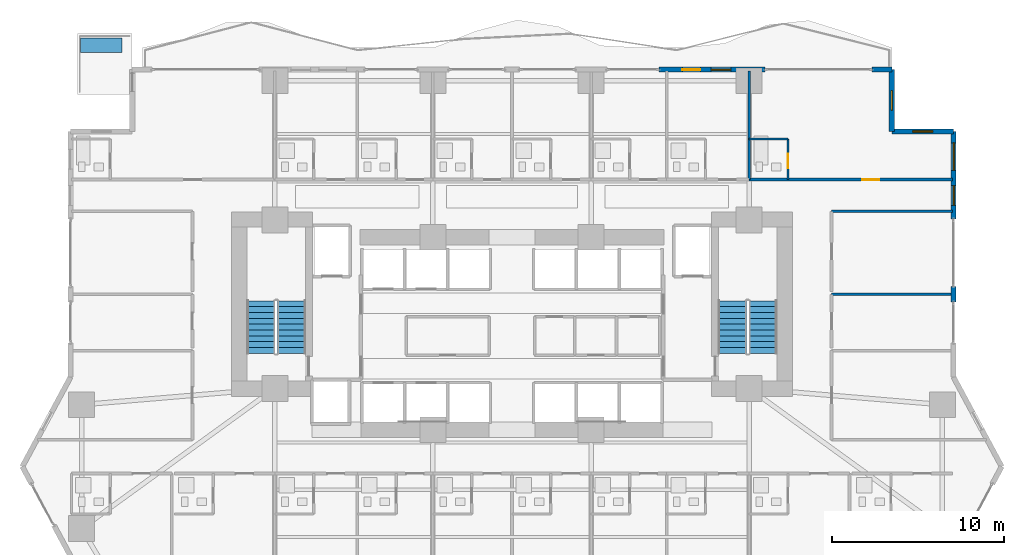
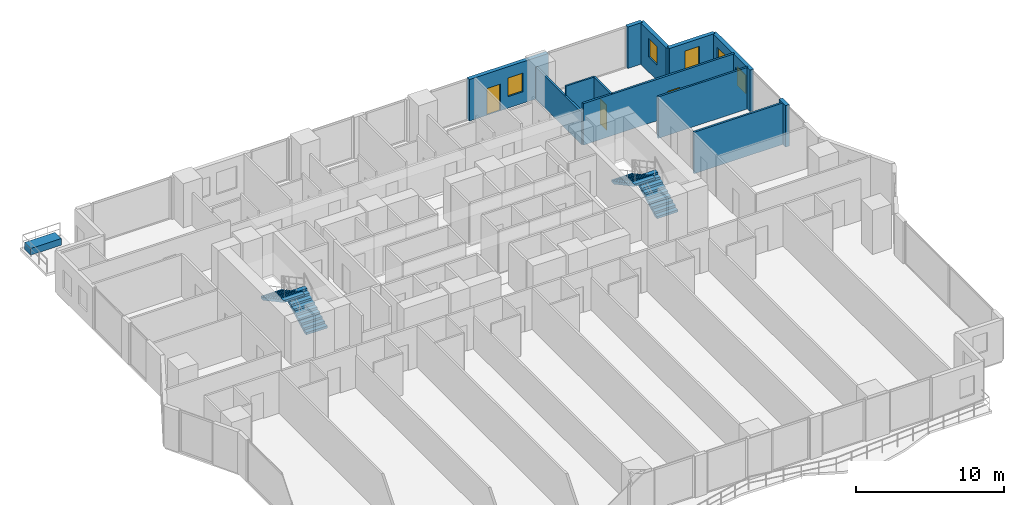
# One storey, part 24 of 29: 12 walls, 5 windows, 4 stair flights, 3 doors, 1 building element part, 8 openings, 2 elements without a shape of their own.
"""IFC4 building model written with IfcOpenShell, lengths in metres."""

from ifc_helpers import new_model, si_unit, direction, frame, frame_2d, origin, origin_2d, place, context, subcontext, project, spatial, polyline, rectangle, outline, extrude, material, layer, layer_set, type_object, element, fill, aggregate, save


model = new_model("IFC4")

# Units and contexts
model_context = context("Model", 3, precision=1e-05, world=origin(), true_north=direction((0.0, 1.0)))
body_context = subcontext(model_context, "Body", "Model", "MODEL_VIEW")
ifc_project = project(units=[si_unit("LENGTHUNIT", "METRE"), si_unit("AREAUNIT", "SQUARE_METRE"), si_unit("VOLUMEUNIT", "CUBIC_METRE"), si_unit("PLANEANGLEUNIT", "RADIAN"), si_unit("MASSUNIT", "GRAM", prefix="KILO")], contexts=[model_context])

# Site, building, storey
site_placement = place(None, origin())
site = spatial("IfcSite", under=ifc_project, at=site_placement, CompositionType="ELEMENT")
building_placement = place(site_placement, origin())
building = spatial("IfcBuilding", under=site, at=building_placement, Name="Zuhayl Quay Hotel", CompositionType="ELEMENT")
storey_placement = place(building_placement, frame((0.0, 0.0, 67.75)))
storey = spatial("IfcBuildingStorey", under=building, at=storey_placement, Name="L16", CompositionType="ELEMENT", Elevation=67.75)

# Wall, openings, door, window
ifc_material_1 = material(Name="Precast concrete C45/55", Category="concrete")
ifc_layer_1 = layer(ifc_material_1, 0.300048828125, Name="Precast concrete C45/55", Category="concrete")
ifc_layer_set_1 = layer_set([ifc_layer_1], Name="Precast concrete C45/55")
wall_type_1 = type_object("IfcWallType", Name="WL_EXT_300", PredefinedType="STANDARD", material=ifc_layer_set_1)
wall_1_placement = place(storey_placement, frame((8.550048828125, 23.10009765625, 0.0), z_axis=(0.0, 0.0, 1.0), x_axis=(1.0, 0.0, 0.0)))
wall_1 = element("IfcWall", 1, at=wall_1_placement, inside=storey, type_object=wall_type_1, Name="L16 Exterior Precast Wall ENV_L16_N_EW6", PredefinedType="STANDARD", context=body_context, shape_type="SweptSolid", body=[
    extrude(rectangle(XDim=6.169921875, YDim=0.300048828125, at=frame_2d((3.0849609375, 0.0))), origin(), (0.0, 0.0, 1.0), 3.429931640625),
])
opening_1_placement = place(wall_1_placement, frame((1.364990234375, 0.0, 0.0)))
opening_1 = element("IfcOpeningElement", 2, at=opening_1_placement, cuts=wall_1, Name="Opening DG1", PredefinedType="OPENING", context=body_context, shape_type="SweptSolid", body=[
    extrude(rectangle(XDim=1.050048828125, YDim=2.199951171875, at=frame_2d((0.52490234375, 1.10009765625))), frame((0.0, 0.159912109375, 0.0), z_axis=(0.0, -1.0, 0.0), x_axis=(1.0, 0.0, 0.0)), (0.0, 0.0, 1.0), 0.320068359375),
])
opening_2_placement = place(wall_1_placement, frame((3.032470703125, 0.0, 0.949951171875)))
opening_2 = element("IfcOpeningElement", 3, at=opening_2_placement, cuts=wall_1, Name="Opening W01N", PredefinedType="OPENING", context=body_context, shape_type="SweptSolid", body=[
    extrude(rectangle(XDim=1.14990234375, YDim=1.550048828125, at=frame_2d((0.574951171875, 0.77490234375))), frame((0.0, 0.159912109375, 0.0), z_axis=(0.0, -1.0, 0.0), x_axis=(1.0, 0.0, 0.0)), (0.0, 0.0, 1.0), 0.320068359375),
])
ifc_material_2 = material(Name="Anodised Aluminium and Dark Solar Glass", Category="aluminium")
door_type_1 = type_object("IfcDoorType", Name="DR_EXT_TERR_1050", OperationType="NOTDEFINED", PredefinedType="DOOR", material=ifc_material_2)
door_1_placement = place(opening_1_placement, origin())
door_1 = element("IfcDoor", 4, at=door_1_placement, inside=storey, type_object=door_type_1, Name="L16 North Rippling Balcony Door", OperationType="SINGLE_SWING_LEFT", OverallHeight=2.199951171875, OverallWidth=1.050048828125, PredefinedType="DOOR", context=body_context, shape_type="SweptSolid", body=[
    extrude(rectangle(XDim=1.050048828125, YDim=2.199951171875, at=frame_2d((0.52490234375, 1.10009765625))), frame((0.0, 0.02490234375, 0.0), z_axis=(0.0, -1.0, 0.0), x_axis=(1.0, 0.0, 0.0)), (0.0, 0.0, 1.0), 0.050048828125),
])
fill(opening_1, door_1)
ifc_material_3 = material(Name="Dark Ceramic-Fritted Solar Glass", Category="glass")
window_type_1 = type_object("IfcWindowType", Name="WN_NOTCH_1350", PartitioningType="SINGLE_PANEL", PredefinedType="WINDOW", material=ifc_material_3)
window_1_placement = place(opening_2_placement, origin())
window_1 = element("IfcWindow", 5, at=window_1_placement, inside=storey, type_object=window_type_1, Name="L16 Operable Facade Window 6-1", OverallHeight=1.550048828125, OverallWidth=1.14990234375, PartitioningType="SINGLE_PANEL", PredefinedType="WINDOW", context=body_context, shape_type="SweptSolid", body=[
    extrude(rectangle(XDim=1.14990234375, YDim=1.550048828125, at=frame_2d((0.574951171875, 0.77490234375))), frame((0.0, 0.030029296875, 0.0), z_axis=(0.0, -1.0, 0.0), x_axis=(1.0, 0.0, 0.0)), (0.0, 0.0, 1.0), 0.06005859375),
])
fill(opening_2, window_1)

# Wall
wall_2_placement = place(storey_placement, frame((20.949951171875, 23.10009765625, 0.0), z_axis=(0.0, 0.0, 1.0), x_axis=(1.0, 0.0, 0.0)))
element("IfcWall", 6, at=wall_2_placement, inside=storey, type_object=wall_type_1, Name="L16 Exterior Precast Wall ENV_L16_N_EW7", PredefinedType="STANDARD", context=body_context, shape_type="SweptSolid", body=[
    extrude(rectangle(XDim=1.150146484375, YDim=0.300048828125, at=frame_2d((0.5751953125, 0.0))), origin(), (0.0, 0.0, 1.0), 3.429931640625),
])

# Wall, opening, window
wall_3_placement = place(storey_placement, frame((22.10009765625, 23.10009765625, 0.0), z_axis=(0.0, 0.0, 1.0), x_axis=(0.0, -1.0, 0.0)))
wall_3 = element("IfcWall", 7, at=wall_3_placement, inside=storey, type_object=wall_type_1, Name="L16 Exterior Precast Wall ENV_L16_EW09", PredefinedType="STANDARD", context=body_context, shape_type="SweptSolid", body=[
    extrude(rectangle(XDim=3.60009765625, YDim=0.300048828125, at=frame_2d((1.800048828125, 0.0))), origin(), (0.0, 0.0, 1.0), 3.429931640625),
])
opening_3_placement = place(wall_3_placement, frame((1.22509765625, 0.0, 1.25)))
opening_3 = element("IfcOpeningElement", 8, at=opening_3_placement, cuts=wall_3, Name="Opening W01N", PredefinedType="OPENING", context=body_context, shape_type="SweptSolid", body=[
    extrude(rectangle(XDim=1.14990234375, YDim=1.550048828125, at=frame_2d((0.574951171875, 0.77490234375))), frame((0.0, 0.159912109375, 0.0), z_axis=(0.0, -1.0, 0.0), x_axis=(1.0, 0.0, 0.0)), (0.0, 0.0, 1.0), 0.320068359375),
])
window_2_placement = place(opening_3_placement, origin())
window_2 = element("IfcWindow", 9, at=window_2_placement, inside=storey, type_object=window_type_1, Name="L16 Corner Notch Window 9", OverallHeight=1.550048828125, OverallWidth=1.14990234375, PartitioningType="SINGLE_PANEL", PredefinedType="WINDOW", context=body_context, shape_type="SweptSolid", body=[
    extrude(rectangle(XDim=1.14990234375, YDim=1.550048828125, at=frame_2d((0.574951171875, 0.77490234375))), frame((0.0, 0.030029296875, 0.0), z_axis=(0.0, -1.0, 0.0), x_axis=(1.0, 0.0, 0.0)), (0.0, 0.0, 1.0), 0.06005859375),
])
fill(opening_3, window_2)

wall_4_placement = place(storey_placement, frame((22.10009765625, 19.5, 0.0), z_axis=(0.0, 0.0, 1.0), x_axis=(1.0, 0.0, 0.0)))
wall_4 = element("IfcWall", 10, at=wall_4_placement, inside=storey, type_object=wall_type_1, Name="L16 Exterior Precast Wall ENV_L16_EW10", PredefinedType="STANDARD", context=body_context, shape_type="SweptSolid", body=[
    extrude(rectangle(XDim=3.599853515625, YDim=0.300048828125, at=frame_2d((1.7998046875, 0.0))), origin(), (0.0, 0.0, 1.0), 3.429931640625),
])
opening_4_placement = place(wall_4_placement, frame((1.22509765625, 0.0, 1.25)))
opening_4 = element("IfcOpeningElement", 11, at=opening_4_placement, cuts=wall_4, Name="Opening W01N", PredefinedType="OPENING", context=body_context, shape_type="SweptSolid", body=[
    extrude(rectangle(XDim=1.14990234375, YDim=1.550048828125, at=frame_2d((0.574951171875, 0.77490234375))), frame((0.0, 0.159912109375, 0.0), z_axis=(0.0, -1.0, 0.0), x_axis=(1.0, 0.0, 0.0)), (0.0, 0.0, 1.0), 0.320068359375),
])
window_3_placement = place(opening_4_placement, origin())
window_3 = element("IfcWindow", 12, at=window_3_placement, inside=storey, type_object=window_type_1, Name="L16 Corner Notch Window 10", OverallHeight=1.550048828125, OverallWidth=1.14990234375, PartitioningType="SINGLE_PANEL", PredefinedType="WINDOW", context=body_context, shape_type="SweptSolid", body=[
    extrude(rectangle(XDim=1.14990234375, YDim=1.550048828125, at=frame_2d((0.574951171875, 0.77490234375))), frame((0.0, 0.030029296875, 0.0), z_axis=(0.0, -1.0, 0.0), x_axis=(1.0, 0.0, 0.0)), (0.0, 0.0, 1.0), 0.06005859375),
])
fill(opening_4, window_3)

# Wall, openings, windows
wall_5_placement = place(storey_placement, frame((25.699951171875, 19.5, 0.0), z_axis=(0.0, 0.0, 1.0), x_axis=(0.0, -1.0, 0.0)))
wall_5 = element("IfcWall", 13, at=wall_5_placement, inside=storey, type_object=wall_type_1, Name="L16 Exterior Precast Wall ENV_L16_E11_EW1", PredefinedType="STANDARD", context=body_context, shape_type="SweptSolid", body=[
    extrude(rectangle(XDim=5.10009765625, YDim=0.300048828125, at=frame_2d((2.550048828125, 0.0))), origin(), (0.0, 0.0, 1.0), 3.429931640625),
])
opening_5_placement = place(wall_5_placement, frame((0.659912109375, 0.0, 0.85009765625)))
opening_5 = element("IfcOpeningElement", 14, at=opening_5_placement, cuts=wall_5, Name="Opening W01", PredefinedType="OPENING", context=body_context, shape_type="SweptSolid", body=[
    extrude(rectangle(XDim=1.60009765625, YDim=1.800048828125, at=frame_2d((0.800048828125, 0.89990234375))), frame((0.0, 0.159912109375, 0.0), z_axis=(0.0, -1.0, 0.0), x_axis=(1.0, 0.0, 0.0)), (0.0, 0.0, 1.0), 0.320068359375),
])
opening_6_placement = place(wall_5_placement, frame((3.14990234375, 0.0, 0.949951171875)))
opening_6 = element("IfcOpeningElement", 15, at=opening_6_placement, cuts=wall_5, Name="Opening W01N", PredefinedType="OPENING", context=body_context, shape_type="SweptSolid", body=[
    extrude(rectangle(XDim=1.14990234375, YDim=1.550048828125, at=frame_2d((0.574951171875, 0.77490234375))), frame((0.0, 0.159912109375, 0.0), z_axis=(0.0, -1.0, 0.0), x_axis=(1.0, 0.0, 0.0)), (0.0, 0.0, 1.0), 0.320068359375),
])
window_4_placement = place(opening_6_placement, origin())
window_4 = element("IfcWindow", 16, at=window_4_placement, inside=storey, type_object=window_type_1, Name="L16 Operable Facade Window 1-2", OverallHeight=1.550048828125, OverallWidth=1.14990234375, PartitioningType="SINGLE_PANEL", PredefinedType="WINDOW", context=body_context, shape_type="SweptSolid", body=[
    extrude(rectangle(XDim=1.14990234375, YDim=1.550048828125, at=frame_2d((0.574951171875, 0.77490234375))), frame((0.0, 0.030029296875, 0.0), z_axis=(0.0, -1.0, 0.0), x_axis=(1.0, 0.0, 0.0)), (0.0, 0.0, 1.0), 0.06005859375),
])
fill(opening_6, window_4)
window_type_2 = type_object("IfcWindowType", Name="WN_OPERABLE_1600", PartitioningType="DOUBLE_PANEL_VERTICAL", PredefinedType="WINDOW", material=ifc_material_3)
window_5_placement = place(opening_5_placement, origin())
window_5 = element("IfcWindow", 17, at=window_5_placement, inside=storey, type_object=window_type_2, Name="L16 Operable Facade Window 1-1", OverallHeight=1.800048828125, OverallWidth=1.60009765625, PartitioningType="SINGLE_PANEL", PredefinedType="WINDOW", context=body_context, shape_type="SweptSolid", body=[
    extrude(rectangle(XDim=1.60009765625, YDim=1.800048828125, at=frame_2d((0.800048828125, 0.89990234375))), frame((0.0, 0.030029296875, 0.0), z_axis=(0.0, -1.0, 0.0), x_axis=(1.0, 0.0, 0.0)), (0.0, 0.0, 1.0), 0.06005859375),
])
fill(opening_5, window_5)

# Walls
wall_6_placement = place(storey_placement, frame((25.699951171875, 10.469970703125, 0.0), z_axis=(0.0, 0.0, 1.0), x_axis=(0.0, -1.0, 0.0)))
element("IfcWall", 18, at=wall_6_placement, inside=storey, type_object=wall_type_1, Name="L16 Exterior Precast Wall ENV_L16_E11_EW2", PredefinedType="STANDARD", context=body_context, shape_type="SweptSolid", body=[
    extrude(rectangle(XDim=0.89990234375, YDim=0.300048828125, at=frame_2d((0.449951171875, 0.0))), origin(), (0.0, 0.0, 1.0), 3.429931640625),
])
ifc_material_4 = material(Name="Acoustic Gypsum Partition STC-58")
ifc_layer_2 = layer(ifc_material_4, 0.14990234375, Name="Acoustic Gypsum Partition STC-58")
ifc_layer_set_2 = layer_set([ifc_layer_2], Name="Acoustic Gypsum Partition STC-58")
wall_type_2 = type_object("IfcWallType", Name="WL_PART_150", PredefinedType="PARTITIONING", material=ifc_layer_set_2)
wall_7_placement = place(storey_placement, frame((13.800048828125, 16.699951171875, 0.0), z_axis=(0.0, 0.0, 1.0), x_axis=(0.0, 1.0, 0.0)))
element("IfcWall", 19, at=wall_7_placement, inside=storey, type_object=wall_type_2, Name="L16 Partition IW_L16_NU07_E", PredefinedType="PARTITIONING", context=body_context, shape_type="SweptSolid", body=[
    extrude(rectangle(XDim=6.320068359375, YDim=0.14990234375, at=frame_2d((3.16015625, 0.0))), origin(), (0.0, 0.0, 1.0), 2.66796875),
])
for number, where, z_axis, x_axis, name in (
    (20, (18.60009765625, 10.02001953125, 0.0), (0.0, 0.0, 1.0), (1.0, 0.0, 0.0), "L16 Partition IW_L16_EFLK_2_N"),
    (21, (18.60009765625, 14.85009765625, 0.0), (0.0, 0.0, 1.0), (1.0, 0.0, 0.0), "L16 Partition IW_L16_EFLK_3_N"),
):
    element("IfcWall", number, at=place(storey_placement, frame(where, z_axis=z_axis, x_axis=x_axis)), inside=storey, type_object=wall_type_2, Name=name, PredefinedType="PARTITIONING", context=body_context, shape_type="SweptSolid", body=[
        extrude(rectangle(XDim=7.039794921875, YDim=0.14990234375, at=frame_2d((3.52001953125, 0.0))), origin(), (0.0, 0.0, 1.0), 3.429931640625),
    ])

# Wall, opening, door
ifc_layer_3 = layer(ifc_material_4, 0.159912109375, Name="Acoustic Gypsum Partition STC-58")
ifc_layer_set_3 = layer_set([ifc_layer_3], Name="Acoustic Gypsum Partition STC-58")
wall_type_3 = type_object("IfcWallType", Name="WL_PART_CORR_160", PredefinedType="PARTITIONING", material=ifc_layer_set_3)
wall_8_placement = place(storey_placement, frame((13.800048828125, 16.699951171875, 0.0), z_axis=(0.0, 0.0, 1.0), x_axis=(1.0, 0.0, 0.0)))
wall_8 = element("IfcWall", 22, at=wall_8_placement, inside=storey, type_object=wall_type_3, Name="L16 Partition IW_L16_NU08_COR", PredefinedType="PARTITIONING", context=body_context, shape_type="SweptSolid", body=[
    extrude(rectangle(XDim=11.83984375, YDim=0.159912109375, at=frame_2d((5.919921875, 0.0))), origin(), (0.0, 0.0, 1.0), 3.429931640625),
])
opening_7_placement = place(wall_8_placement, frame((6.570068359375, 0.0, 0.0)))
opening_7 = element("IfcOpeningElement", 23, at=opening_7_placement, cuts=wall_8, Name="Opening D03L", PredefinedType="OPENING", context=body_context, shape_type="SweptSolid", body=[
    extrude(rectangle(XDim=1.0, YDim=2.14990234375, at=frame_2d((0.5, 1.074951171875))), frame((0.0, 0.08984375, 0.0), z_axis=(0.0, -1.0, 0.0), x_axis=(1.0, 0.0, 0.0)), (0.0, 0.0, 1.0), 0.179931640625),
])
ifc_material_5 = material(Name="Solid Walnut Acoustic Fire Door")
door_type_2 = type_object("IfcDoorType", Name="DR_SUITE_1000", OperationType="NOTDEFINED", PredefinedType="DOOR", material=ifc_material_5)
door_2_placement = place(opening_7_placement, origin())
door_2 = element("IfcDoor", 24, at=door_2_placement, inside=storey, type_object=door_type_2, Name="L16 Deluxe Gulf Guest Room L16-08 Entrance Door", OperationType="SINGLE_SWING_LEFT", OverallHeight=2.14990234375, OverallWidth=1.0, PredefinedType="DOOR", context=body_context, shape_type="SweptSolid", body=[
    extrude(rectangle(XDim=1.0, YDim=2.14990234375, at=frame_2d((0.5, 1.074951171875))), frame((0.0, 0.02490234375, 0.0), z_axis=(0.0, -1.0, 0.0), x_axis=(1.0, 0.0, 0.0)), (0.0, 0.0, 1.0), 0.050048828125),
])
fill(opening_7, door_2)

ifc_material_6 = material(Name="Moisture-Resistant Sanitarychase Gypsum")
ifc_layer_4 = layer(ifc_material_6, 0.135009765625, Name="Moisture-Resistant Sanitarychase Gypsum")
ifc_layer_set_4 = layer_set([ifc_layer_4], Name="Moisture-Resistant Sanitarychase Gypsum")
wall_type_4 = type_object("IfcWallType", Name="WL_PART_PLUMB_150", PredefinedType="PLUMBINGWALL", material=ifc_layer_set_4)
wall_9_placement = place(storey_placement, frame((16.06005859375, 16.699951171875, 0.0), z_axis=(0.0, 0.0, 1.0), x_axis=(0.0, 1.0, 0.0)))
wall_9 = element("IfcWall", 25, at=wall_9_placement, inside=storey, type_object=wall_type_4, Name="L16 Partition IW_L16_NU08_BE", PredefinedType="PLUMBINGWALL", context=body_context, shape_type="SweptSolid", body=[
    extrude(rectangle(XDim=2.360107421875, YDim=0.135009765625, at=frame_2d((1.18017578125, 0.0))), origin(), (0.0, 0.0, 1.0), 3.429931640625),
])
opening_8_placement = place(wall_9_placement, frame((0.64990234375, 0.0, 0.0)))
opening_8 = element("IfcOpeningElement", 26, at=opening_8_placement, cuts=wall_9, Name="Opening D04", PredefinedType="OPENING", context=body_context, shape_type="SweptSolid", body=[
    extrude(rectangle(XDim=0.85009765625, YDim=2.10009765625, at=frame_2d((0.425048828125, 1.050048828125))), frame((0.0, 0.077392578125, 0.0), z_axis=(0.0, -1.0, 0.0), x_axis=(1.0, 0.0, 0.0)), (0.0, 0.0, 1.0), 0.155029296875),
])
ifc_material_7 = material(Name="Moisture-Resistant Walnut Veneer")
door_type_3 = type_object("IfcDoorType", Name="DR_BATH_850", OperationType="NOTDEFINED", PredefinedType="DOOR", material=ifc_material_7)
door_3_placement = place(opening_8_placement, origin())
door_3 = element("IfcDoor", 27, at=door_3_placement, inside=storey, type_object=door_type_3, Name="L16 Deluxe Gulf Guest Room L16-08 En-Suite Door", OperationType="SINGLE_SWING_RIGHT", OverallHeight=2.10009765625, OverallWidth=0.85009765625, PredefinedType="DOOR", context=body_context, shape_type="SweptSolid", body=[
    extrude(rectangle(XDim=0.85009765625, YDim=2.10009765625, at=frame_2d((0.425048828125, 1.050048828125))), frame((0.0, 0.02490234375, 0.0), z_axis=(0.0, -1.0, 0.0), x_axis=(1.0, 0.0, 0.0)), (0.0, 0.0, 1.0), 0.050048828125),
])
fill(opening_8, door_3)

# Wall
wall_10_placement = place(storey_placement, frame((13.800048828125, 19.06005859375, 0.0), z_axis=(0.0, 0.0, 1.0), x_axis=(1.0, 0.0, 0.0)))
element("IfcWall", 28, at=wall_10_placement, inside=storey, type_object=wall_type_4, Name="L16 Partition IW_L16_NU08_BN", PredefinedType="PLUMBINGWALL", context=body_context, shape_type="SweptSolid", body=[
    extrude(rectangle(XDim=2.260009765625, YDim=0.135009765625, at=frame_2d((1.1298828125, 0.0))), origin(), (0.0, 0.0, 1.0), 3.429931640625),
])

# Stair, stair flights
ifc_material_8 = material(Name="Concrete C45/55", Category="concrete")
stair_type = type_object("IfcStairType", Name="ST_DOGLEG_TOWER", PredefinedType="HALF_TURN_STAIR", material=ifc_material_8)
stair_1_placement = place(storey_placement, origin())
stair_1 = element("IfcStair", 29, at=stair_1_placement, inside=storey, type_object=stair_type, Name="L16 Smokeproof Exit Stair ST1", PredefinedType="HALF_TURN_STAIR")
ifc_layer_5 = layer(ifc_material_8, 0.159912109375, Name="Concrete C45/55", Category="concrete")
ifc_layer_set_5 = layer_set([ifc_layer_5], Name="Concrete C45/55")
stair_flight_type = type_object("IfcStairFlightType", Name="SF_CONC_164", PredefinedType="STRAIGHT", material=ifc_layer_set_5)
stair_flight_1_placement = place(storey_placement, frame((-12.820068359375, 6.590087890625, 0.0), z_axis=(0.0, 0.0, 1.0), x_axis=(0.0, 1.0, 0.0)))
stair_flight_1 = element("IfcStairFlight", 30, at=stair_flight_1_placement, type_object=stair_flight_type, Name="ST1 flight 1", NumberOfRisers=10, NumberOfTreads=9, PredefinedType="STRAIGHT", RiserHeight=0.1825, TreadLength=0.34, context=body_context, shape_type="SweptSolid", body=[
    extrude(outline(polyline([(0.0, 0.0), (0.0, 0.1826171875), (0.340087890625, 0.1826171875), (0.340087890625, 0.364990234375), (0.679931640625, 0.364990234375), (0.679931640625, 0.547607421875), (1.02001953125, 0.547607421875), (1.02001953125, 0.72998046875), (1.360107421875, 0.72998046875), (1.360107421875, 0.91259765625), (1.699951171875, 0.91259765625), (1.699951171875, 1.094970703125), (2.0400390625, 1.094970703125), (2.0400390625, 1.277587890625), (2.3798828125, 1.277587890625), (2.3798828125, 1.4599609375), (2.719970703125, 1.4599609375), (2.719970703125, 1.642578125), (3.06005859375, 1.642578125), (3.06005859375, 1.824951171875), (3.06005859375, 1.472412109375), (0.31689453125, 0.0), (0.0, 0.0)])), frame((0.0, 0.81982421875, 0.0), z_axis=(0.0, -1.0, 0.0), x_axis=(1.0, 0.0, 0.0)), (0.0, 0.0, 1.0), 1.639892578125),
])
stair_flight_2_placement = place(storey_placement, frame((-14.610107421875, 9.64990234375, 1.824951171875), z_axis=(0.0, 0.0, 1.0), x_axis=(0.0, -1.0, 0.0)))
stair_flight_2 = element("IfcStairFlight", 31, at=stair_flight_2_placement, type_object=stair_flight_type, Name="ST1 flight 2", NumberOfRisers=10, NumberOfTreads=9, PredefinedType="STRAIGHT", RiserHeight=0.1825, TreadLength=0.34, context=body_context, shape_type="SweptSolid", body=[
    extrude(outline(polyline([(0.0, 0.0), (0.0, 0.1826171875), (0.340087890625, 0.1826171875), (0.340087890625, 0.364990234375), (0.679931640625, 0.364990234375), (0.679931640625, 0.547607421875), (1.02001953125, 0.547607421875), (1.02001953125, 0.72998046875), (1.360107421875, 0.72998046875), (1.360107421875, 0.91259765625), (1.699951171875, 0.91259765625), (1.699951171875, 1.094970703125), (2.0400390625, 1.094970703125), (2.0400390625, 1.277587890625), (2.3798828125, 1.277587890625), (2.3798828125, 1.4599609375), (2.719970703125, 1.4599609375), (2.719970703125, 1.642578125), (3.06005859375, 1.642578125), (3.06005859375, 1.824951171875), (3.06005859375, 1.472412109375), (0.31689453125, 0.0), (0.0, 0.0)])), frame((0.0, 0.81982421875, 0.0), z_axis=(0.0, -1.0, 0.0), x_axis=(1.0, 0.0, 0.0)), (0.0, 0.0, 1.0), 1.639892578125),
])
aggregate(stair_1, [stair_flight_1, stair_flight_2])

stair_2_placement = place(storey_placement, origin())
stair_2 = element("IfcStair", 32, at=stair_2_placement, inside=storey, type_object=stair_type, Name="L16 Smokeproof Exit Stair ST2", PredefinedType="HALF_TURN_STAIR")
stair_flight_3_placement = place(storey_placement, frame((14.610107421875, 6.590087890625, 0.0), z_axis=(0.0, 0.0, 1.0), x_axis=(0.0, 1.0, 0.0)))
stair_flight_3 = element("IfcStairFlight", 33, at=stair_flight_3_placement, type_object=stair_flight_type, Name="ST2 flight 1", NumberOfRisers=10, NumberOfTreads=9, PredefinedType="STRAIGHT", RiserHeight=0.1825, TreadLength=0.34, context=body_context, shape_type="SweptSolid", body=[
    extrude(outline(polyline([(0.0, 0.0), (0.0, 0.1826171875), (0.340087890625, 0.1826171875), (0.340087890625, 0.364990234375), (0.679931640625, 0.364990234375), (0.679931640625, 0.547607421875), (1.02001953125, 0.547607421875), (1.02001953125, 0.72998046875), (1.360107421875, 0.72998046875), (1.360107421875, 0.91259765625), (1.699951171875, 0.91259765625), (1.699951171875, 1.094970703125), (2.0400390625, 1.094970703125), (2.0400390625, 1.277587890625), (2.3798828125, 1.277587890625), (2.3798828125, 1.4599609375), (2.719970703125, 1.4599609375), (2.719970703125, 1.642578125), (3.06005859375, 1.642578125), (3.06005859375, 1.824951171875), (3.06005859375, 1.472412109375), (0.31689453125, 0.0), (0.0, 0.0)])), frame((0.0, 0.81982421875, 0.0), z_axis=(0.0, -1.0, 0.0), x_axis=(1.0, 0.0, 0.0)), (0.0, 0.0, 1.0), 1.639892578125),
])
stair_flight_4_placement = place(storey_placement, frame((12.820068359375, 9.64990234375, 1.824951171875), z_axis=(0.0, 0.0, 1.0), x_axis=(0.0, -1.0, 0.0)))
stair_flight_4 = element("IfcStairFlight", 34, at=stair_flight_4_placement, type_object=stair_flight_type, Name="ST2 flight 2", NumberOfRisers=10, NumberOfTreads=9, PredefinedType="STRAIGHT", RiserHeight=0.1825, TreadLength=0.34, context=body_context, shape_type="SweptSolid", body=[
    extrude(outline(polyline([(0.0, 0.0), (0.0, 0.1826171875), (0.340087890625, 0.1826171875), (0.340087890625, 0.364990234375), (0.679931640625, 0.364990234375), (0.679931640625, 0.547607421875), (1.02001953125, 0.547607421875), (1.02001953125, 0.72998046875), (1.360107421875, 0.72998046875), (1.360107421875, 0.91259765625), (1.699951171875, 0.91259765625), (1.699951171875, 1.094970703125), (2.0400390625, 1.094970703125), (2.0400390625, 1.277587890625), (2.3798828125, 1.277587890625), (2.3798828125, 1.4599609375), (2.719970703125, 1.4599609375), (2.719970703125, 1.642578125), (3.06005859375, 1.642578125), (3.06005859375, 1.824951171875), (3.06005859375, 1.472412109375), (0.31689453125, 0.0), (0.0, 0.0)])), frame((0.0, 0.81982421875, 0.0), z_axis=(0.0, -1.0, 0.0), x_axis=(1.0, 0.0, 0.0)), (0.0, 0.0, 1.0), 1.639892578125),
])
aggregate(stair_2, [stair_flight_3, stair_flight_4])

# Building element part
ifc_layer_6 = layer(ifc_material_1, 0.550048828125, Name="Precast concrete C45/55", Category="concrete")
ifc_layer_set_6 = layer_set([ifc_layer_6], Name="Precast concrete C45/55")
building_element_part_type = type_object("IfcBuildingElementPartType", Name="PT_PLANTER_KERB", PredefinedType="PRECASTPANEL", material=ifc_layer_set_6)
building_element_part_placement = place(storey_placement, frame((-23.909912109375, 24.510009765625, 0.0), z_axis=(0.0, 0.0, 1.0), x_axis=(1.0, 0.0, 0.0)))
element("IfcBuildingElementPart", 35, at=building_element_part_placement, inside=storey, type_object=building_element_part_type, Name="L16 Spiral Sky-Terrace Planter Box NW", PredefinedType="PRECASTPANEL", context=body_context, shape_type="SweptSolid", body=[
    extrude(rectangle(XDim=2.39990234375, YDim=0.85009765625, at=origin_2d()), origin(), (0.0, 0.0, 1.0), 0.550048828125),
])

save(model, "model.ifc")
